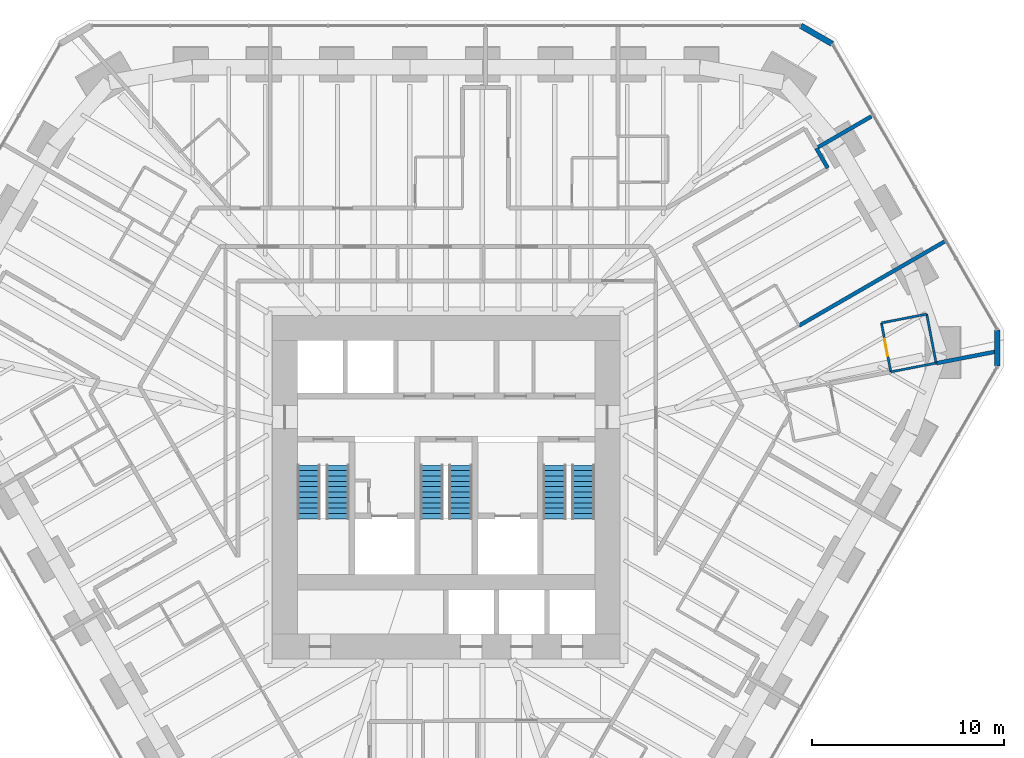
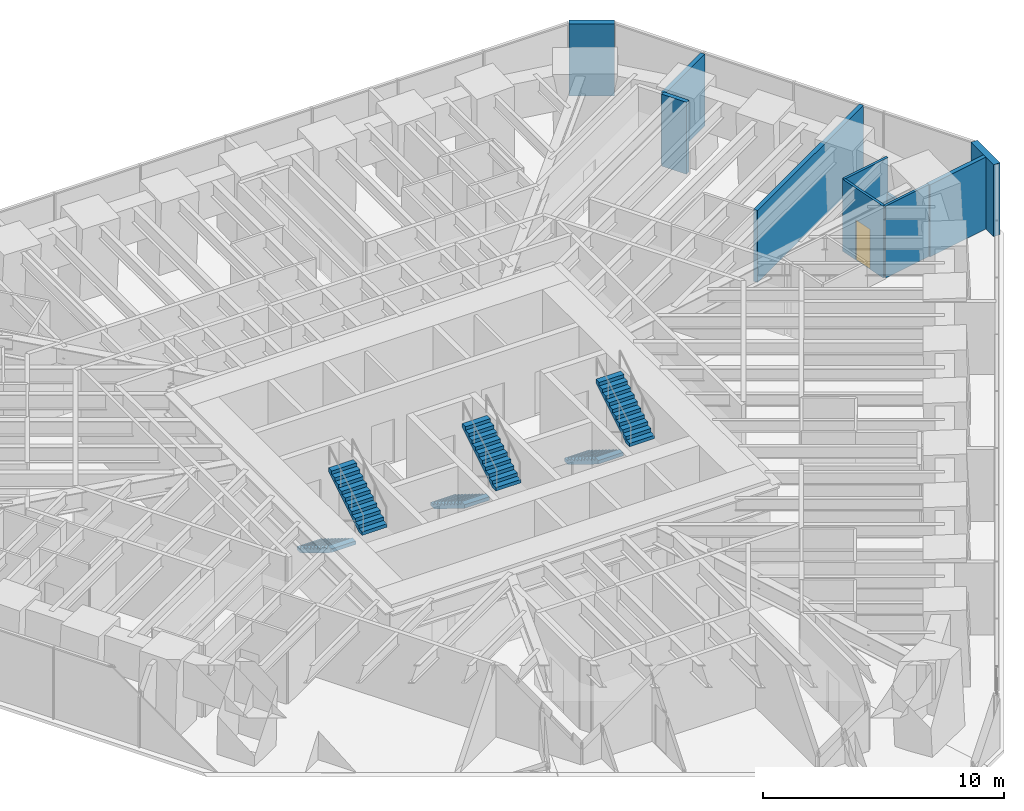
# One storey, part 16 of 17: 10 walls, 6 stair flights, 1 door, 1 opening, 3 elements without a shape of their own.
"""IFC4 building model written with IfcOpenShell, lengths in metres."""

from ifc_helpers import new_model, si_unit, direction, frame, frame_2d, origin, place, context, subcontext, project, spatial, polyline, rectangle, outline, extrude, material, layer, layer_set, type_object, element, fill, aggregate, save


model = new_model("IFC4")

# Units and contexts
model_context = context("Model", 3, precision=1e-05, world=origin(), true_north=direction((0.0, 1.0)))
body_context = subcontext(model_context, "Body", "Model", "MODEL_VIEW")
ifc_project = project(units=[si_unit("LENGTHUNIT", "METRE"), si_unit("AREAUNIT", "SQUARE_METRE"), si_unit("VOLUMEUNIT", "CUBIC_METRE"), si_unit("PLANEANGLEUNIT", "RADIAN"), si_unit("MASSUNIT", "GRAM", prefix="KILO")], contexts=[model_context])

# Site, building, storey
site_placement = place(None, origin())
site = spatial("IfcSite", under=ifc_project, at=site_placement, CompositionType="ELEMENT")
building_placement = place(site_placement, origin())
building = spatial("IfcBuilding", under=site, at=building_placement, Name="Sandreach Pilgrim Tower", CompositionType="ELEMENT")
storey_placement = place(building_placement, frame((0.0, 0.0, 165.199951171875)))
storey = spatial("IfcBuildingStorey", under=building, at=storey_placement, Name="L41", CompositionType="ELEMENT", Elevation=165.199951171875)

# Wall, opening, door
ifc_material_1 = material(Name="Moisture-resistant gypsum board on steel studs", Category="steel")
ifc_layer_1 = layer(ifc_material_1, 0.1201171875)
ifc_layer_set_1 = layer_set([ifc_layer_1], Name="Bathroom partition 120")
wall_type_1 = type_object("IfcWallType", Name="Bathroom partition 120", PredefinedType="PARTITIONING", material=ifc_layer_set_1)
wall_1_placement = place(storey_placement, frame((22.679931640625, 7.010009765625, 0.0), z_axis=(0.0, 0.0, 1.0), x_axis=(0.188697442844, -0.982035271802, 0.0)))
wall_1 = element("IfcWall", 1, at=wall_1_placement, inside=storey, type_object=wall_type_1, Name="Bathroom partition L41-176", PredefinedType="PARTITIONING", context=body_context, shape_type="SweptSolid", body=[
    extrude(rectangle(XDim=2.5966796875, YDim=0.1201171875, at=frame_2d((1.29833984375, 0.0))), origin(), (0.0, 0.0, 1.0), 3.64013671875),
])
opening_placement = place(wall_1_placement, frame((0.85009765625, 0.0, 0.0)))
opening = element("IfcOpeningElement", 2, at=opening_placement, cuts=wall_1, Name="Opening D09-06B", PredefinedType="OPENING", context=body_context, shape_type="SweptSolid", body=[
    extrude(rectangle(XDim=0.89990234375, YDim=2.030029296875, at=frame_2d((0.449951171875, 1.01513671875))), frame((0.0, 0.06005859375, 0.0), z_axis=(0.0, -1.0, 0.0), x_axis=(1.0, 0.0, 0.0)), (0.0, 0.0, 1.0), 0.1201171875),
])
ifc_material_2 = material(Name="Timber door, steel frame", Category="steel")
door_type = type_object("IfcDoorType", Name="Bathroom door", OperationType="SINGLE_SWING_LEFT", PredefinedType="DOOR", material=ifc_material_2)
door_placement = place(opening_placement, origin())
door = element("IfcDoor", 3, at=door_placement, inside=storey, type_object=door_type, Name="Door 4106B", OperationType="SINGLE_SWING_LEFT", OverallHeight=2.030029296875, OverallWidth=0.89990234375, PredefinedType="DOOR", context=body_context, shape_type="SweptSolid", body=[
    extrude(rectangle(XDim=0.89990234375, YDim=2.030029296875, at=frame_2d((0.449951171875, 1.01513671875))), frame((0.0, 0.02490234375, 0.0), z_axis=(0.0, -1.0, 0.0), x_axis=(1.0, 0.0, 0.0)), (0.0, 0.0, 1.0), 0.050048828125),
])
fill(opening, door)

# Walls
for number, where, z_axis, x_axis, name in (
    (4, (23.169921875, 4.4599609375, 0.0), (0.0, 0.0, 1.0), (0.981533392326, 0.191290877329, 0.0), "Bathroom partition L41-177"),
    (5, (25.0400390625, 7.469970703125, 0.0), (0.0, 0.0, 1.0), (-0.981533392326, -0.191290877329, 0.0), "Bathroom partition L41-179"),
):
    element("IfcWall", number, at=place(storey_placement, frame(where, z_axis=z_axis, x_axis=x_axis)), inside=storey, type_object=wall_type_1, Name=name, PredefinedType="PARTITIONING", context=body_context, shape_type="SweptSolid", body=[
        extrude(rectangle(XDim=2.404541015625, YDim=0.1201171875, at=frame_2d((1.2021484375, 0.0))), origin(), (0.0, 0.0, 1.0), 3.64013671875),
    ])
wall_2_placement = place(storey_placement, frame((25.530029296875, 4.919921875, 0.0), z_axis=(0.0, 0.0, 1.0), x_axis=(-0.188697442844, 0.982035271802, 0.0)))
element("IfcWall", 6, at=wall_2_placement, inside=storey, type_object=wall_type_1, Name="Bathroom partition L41-180", PredefinedType="PARTITIONING", context=body_context, shape_type="SweptSolid", body=[
    extrude(rectangle(XDim=2.5966796875, YDim=0.1201171875, at=frame_2d((1.29833984375, 0.0))), origin(), (0.0, 0.0, 1.0), 1.840087890625),
])
ifc_material_3 = material(Name="Gypsum board on steel studs, two layers each side", Category="steel")
ifc_layer_2 = layer(ifc_material_3, 0.199951171875)
ifc_layer_set_2 = layer_set([ifc_layer_2], Name="Corridor wall 200")
wall_type_2 = type_object("IfcWallType", Name="Corridor wall 200", PredefinedType="PARTITIONING", material=ifc_layer_set_2)
wall_3_placement = place(storey_placement, frame((19.882568359375, 15.0830078125, 0.0), z_axis=(0.0, 0.0, 1.0), x_axis=(-0.499704629046, 0.866195869137, 0.0)))
element("IfcWall", 7, at=wall_3_placement, inside=storey, type_object=wall_type_2, Name="Corridor wall L41-172", PredefinedType="PARTITIONING", context=body_context, shape_type="SweptSolid", body=[
    extrude(rectangle(XDim=1.185791015625, YDim=0.199951171875, at=frame_2d((0.5927734375, 0.0))), origin(), (0.0, 0.0, 1.0), 3.64013671875),
])
ifc_material_4 = material(Name="Double steel stud acoustic wall, gypsum board", Category="steel")
ifc_layer_3 = layer(ifc_material_4, 0.199951171875)
ifc_layer_set_3 = layer_set([ifc_layer_3], Name="Party wall 200")
wall_type_3 = type_object("IfcWallType", Name="Party wall 200", PredefinedType="PARTITIONING", material=ifc_layer_set_3)
wall_4_placement = place(storey_placement, frame((18.389892578125, 6.8701171875, 0.0), z_axis=(0.0, 0.0, 1.0), x_axis=(0.865875215531, 0.500260043506, 0.0)))
element("IfcWall", 8, at=wall_4_placement, inside=storey, type_object=wall_type_3, Name="Party wall L41-169", PredefinedType="PARTITIONING", context=body_context, shape_type="SweptSolid", body=[
    extrude(rectangle(XDim=8.804931640625, YDim=0.199951171875, at=frame_2d((4.40234375, 0.0))), origin(), (0.0, 0.0, 1.0), 3.64013671875),
])
wall_5_placement = place(storey_placement, frame((22.15625, 17.769775390625, 0.0), z_axis=(0.0, 0.0, 1.0), x_axis=(-0.865367135404, -0.501138424952, 0.0)))
element("IfcWall", 9, at=wall_5_placement, inside=storey, type_object=wall_type_3, Name="Party wall L41-175", PredefinedType="PARTITIONING", context=body_context, shape_type="SweptSolid", body=[
    extrude(rectangle(XDim=3.297119140625, YDim=0.199951171875, at=frame_2d((1.6484375, 0.0))), origin(), (0.0, 0.0, 1.0), 3.64013671875),
])
wall_6_placement = place(storey_placement, frame((28.740478515625, 5.5341796875, 0.0), z_axis=(0.0, 0.0, 1.0), x_axis=(-0.98161461266, -0.190873655101, 0.0)))
element("IfcWall", 10, at=wall_6_placement, inside=storey, type_object=wall_type_3, Name="Party wall L41-181", PredefinedType="PARTITIONING", context=body_context, shape_type="SweptSolid", body=[
    extrude(rectangle(XDim=3.2705078125, YDim=0.199951171875, at=frame_2d((1.63525390625, 0.0))), origin(), (0.0, 0.0, 1.0), 3.64013671875),
])
ifc_material_5 = material(Name="Terracotta rainscreen on concrete", Category="masonry")
ifc_layer_4 = layer(ifc_material_5, 0.300048828125)
ifc_layer_set_4 = layer_set([ifc_layer_4], Name="Terracotta chamfer pier")
wall_type_4 = type_object("IfcWallType", Name="Terracotta chamfer pier", PredefinedType="SOLIDWALL", material=ifc_layer_set_4)
wall_7_placement = place(storey_placement, frame((18.4814453125, 22.493896484375, 0.0), z_axis=(0.0, 0.0, 1.0), x_axis=(0.865988793993, -0.500063404658, 0.0)))
element("IfcWall", 11, at=wall_7_placement, inside=storey, type_object=wall_type_4, Name="Chamfer pier L41 N", PredefinedType="SOLIDWALL", context=body_context, shape_type="SweptSolid", body=[
    extrude(rectangle(XDim=1.880126953125, YDim=0.300048828125, at=frame_2d((0.93994140625, 0.0))), origin(), (0.0, 0.0, 1.0), 3.64013671875),
])
wall_8_placement = place(storey_placement, frame((28.720947265625, 6.638427734375, 0.0), z_axis=(0.0, 0.0, 1.0), x_axis=(0.0, -1.0, 0.0)))
element("IfcWall", 12, at=wall_8_placement, inside=storey, type_object=wall_type_4, Name="Chamfer pier L41 NE", PredefinedType="SOLIDWALL", context=body_context, shape_type="SweptSolid", body=[
    extrude(rectangle(XDim=1.8798828125, YDim=0.300048828125, at=frame_2d((0.93994140625, 0.0))), origin(), (0.0, 0.0, 1.0), 3.64013671875),
])

# Stair, stair flights
ifc_material_6 = material(Name="Concrete 8000 psi", Category="concrete")
stair_type = type_object("IfcStairType", Name="Core exit stair", PredefinedType="HALF_TURN_STAIR", material=ifc_material_6)
stair_1_placement = place(storey_placement, origin())
stair_1 = element("IfcStair", 13, at=stair_1_placement, inside=storey, type_object=stair_type, Name="Exit stair ST1 L41", PredefinedType="HALF_TURN_STAIR")
ifc_material_7 = material(Name="Concrete 8000 psi", Category="concrete")
stair_flight_type = type_object("IfcStairFlightType", Name="Core stair flight 1200", PredefinedType="STRAIGHT", material=ifc_material_7)
stair_flight_1_placement = place(storey_placement, frame((-7.14990234375, -0.39990234375, 0.0), z_axis=(0.0, 0.0, 1.0), x_axis=(0.0, -1.0, 0.0)))
stair_flight_1 = element("IfcStairFlight", 14, at=stair_flight_1_placement, type_object=stair_flight_type, Name="ST1 flight 1", NumberOfRisers=11, NumberOfTreads=10, PredefinedType="STRAIGHT", RiserHeight=0.172727273, TreadLength=0.28, context=body_context, shape_type="SweptSolid", body=[
    extrude(outline(polyline([(0.0, 0.0), (0.0, 0.172607421875), (0.280029296875, 0.172607421875), (0.280029296875, 0.345458984375), (0.56005859375, 0.345458984375), (0.56005859375, 0.51806640625), (0.840087890625, 0.51806640625), (0.840087890625, 0.69091796875), (1.1201171875, 0.69091796875), (1.1201171875, 0.863525390625), (1.39990234375, 0.863525390625), (1.39990234375, 1.036376953125), (1.679931640625, 1.036376953125), (1.679931640625, 1.208984375), (1.9599609375, 1.208984375), (1.9599609375, 1.3818359375), (2.239990234375, 1.3818359375), (2.239990234375, 1.554443359375), (2.52001953125, 1.554443359375), (2.52001953125, 1.727294921875), (2.800048828125, 1.727294921875), (2.800048828125, 1.89990234375), (2.800048828125, 1.551025390625), (0.285400390625, 0.0), (0.0, 0.0)])), frame((0.0, 0.60009765625, 0.0), z_axis=(0.0, -1.0, 0.0), x_axis=(1.0, 0.0, 0.0)), (0.0, 0.0, 1.0), 1.199951171875),
])
stair_flight_2_placement = place(storey_placement, frame((-5.64990234375, -3.199951171875, 1.900146484375), z_axis=(0.0, 0.0, 1.0), x_axis=(0.0, 1.0, 0.0)))
stair_flight_2 = element("IfcStairFlight", 15, at=stair_flight_2_placement, type_object=stair_flight_type, Name="ST1 flight 2", NumberOfRisers=11, NumberOfTreads=10, PredefinedType="STRAIGHT", RiserHeight=0.172727273, TreadLength=0.28, context=body_context, shape_type="SweptSolid", body=[
    extrude(outline(polyline([(0.0, 0.0), (0.0, 0.172607421875), (0.280029296875, 0.172607421875), (0.280029296875, 0.345458984375), (0.56005859375, 0.345458984375), (0.56005859375, 0.51806640625), (0.840087890625, 0.51806640625), (0.840087890625, 0.69091796875), (1.1201171875, 0.69091796875), (1.1201171875, 0.863525390625), (1.39990234375, 0.863525390625), (1.39990234375, 1.036376953125), (1.679931640625, 1.036376953125), (1.679931640625, 1.208984375), (1.9599609375, 1.208984375), (1.9599609375, 1.3818359375), (2.239990234375, 1.3818359375), (2.239990234375, 1.554443359375), (2.52001953125, 1.554443359375), (2.52001953125, 1.727294921875), (2.800048828125, 1.727294921875), (2.800048828125, 1.89990234375), (2.800048828125, 1.551025390625), (0.285400390625, 0.0), (0.0, 0.0)])), frame((0.0, 0.60009765625, 0.0), z_axis=(0.0, -1.0, 0.0), x_axis=(1.0, 0.0, 0.0)), (0.0, 0.0, 1.0), 1.199951171875),
])
aggregate(stair_1, [stair_flight_1, stair_flight_2])

stair_2_placement = place(storey_placement, origin())
stair_2 = element("IfcStair", 16, at=stair_2_placement, inside=storey, type_object=stair_type, Name="Exit stair ST3 L41", PredefinedType="HALF_TURN_STAIR")
stair_flight_3_placement = place(storey_placement, frame((-0.75, -0.39990234375, 0.0), z_axis=(0.0, 0.0, 1.0), x_axis=(0.0, -1.0, 0.0)))
stair_flight_3 = element("IfcStairFlight", 17, at=stair_flight_3_placement, type_object=stair_flight_type, Name="ST3 flight 1", NumberOfRisers=11, NumberOfTreads=10, PredefinedType="STRAIGHT", RiserHeight=0.172727273, TreadLength=0.28, context=body_context, shape_type="SweptSolid", body=[
    extrude(outline(polyline([(0.0, 0.0), (0.0, 0.172607421875), (0.280029296875, 0.172607421875), (0.280029296875, 0.345458984375), (0.56005859375, 0.345458984375), (0.56005859375, 0.51806640625), (0.840087890625, 0.51806640625), (0.840087890625, 0.69091796875), (1.1201171875, 0.69091796875), (1.1201171875, 0.863525390625), (1.39990234375, 0.863525390625), (1.39990234375, 1.036376953125), (1.679931640625, 1.036376953125), (1.679931640625, 1.208984375), (1.9599609375, 1.208984375), (1.9599609375, 1.3818359375), (2.239990234375, 1.3818359375), (2.239990234375, 1.554443359375), (2.52001953125, 1.554443359375), (2.52001953125, 1.727294921875), (2.800048828125, 1.727294921875), (2.800048828125, 1.89990234375), (2.800048828125, 1.551025390625), (0.285400390625, 0.0), (0.0, 0.0)])), frame((0.0, 0.60009765625, 0.0), z_axis=(0.0, -1.0, 0.0), x_axis=(1.0, 0.0, 0.0)), (0.0, 0.0, 1.0), 1.199951171875),
])
stair_flight_4_placement = place(storey_placement, frame((0.75, -3.199951171875, 1.900146484375), z_axis=(0.0, 0.0, 1.0), x_axis=(0.0, 1.0, 0.0)))
stair_flight_4 = element("IfcStairFlight", 18, at=stair_flight_4_placement, type_object=stair_flight_type, Name="ST3 flight 2", NumberOfRisers=11, NumberOfTreads=10, PredefinedType="STRAIGHT", RiserHeight=0.172727273, TreadLength=0.28, context=body_context, shape_type="SweptSolid", body=[
    extrude(outline(polyline([(0.0, 0.0), (0.0, 0.172607421875), (0.280029296875, 0.172607421875), (0.280029296875, 0.345458984375), (0.56005859375, 0.345458984375), (0.56005859375, 0.51806640625), (0.840087890625, 0.51806640625), (0.840087890625, 0.69091796875), (1.1201171875, 0.69091796875), (1.1201171875, 0.863525390625), (1.39990234375, 0.863525390625), (1.39990234375, 1.036376953125), (1.679931640625, 1.036376953125), (1.679931640625, 1.208984375), (1.9599609375, 1.208984375), (1.9599609375, 1.3818359375), (2.239990234375, 1.3818359375), (2.239990234375, 1.554443359375), (2.52001953125, 1.554443359375), (2.52001953125, 1.727294921875), (2.800048828125, 1.727294921875), (2.800048828125, 1.89990234375), (2.800048828125, 1.551025390625), (0.285400390625, 0.0), (0.0, 0.0)])), frame((0.0, 0.60009765625, 0.0), z_axis=(0.0, -1.0, 0.0), x_axis=(1.0, 0.0, 0.0)), (0.0, 0.0, 1.0), 1.199951171875),
])
aggregate(stair_2, [stair_flight_3, stair_flight_4])

stair_3_placement = place(storey_placement, origin())
stair_3 = element("IfcStair", 19, at=stair_3_placement, inside=storey, type_object=stair_type, Name="Exit stair ST2 L41", PredefinedType="HALF_TURN_STAIR")
stair_flight_5_placement = place(storey_placement, frame((5.64990234375, -0.39990234375, 0.0), z_axis=(0.0, 0.0, 1.0), x_axis=(0.0, -1.0, 0.0)))
stair_flight_5 = element("IfcStairFlight", 20, at=stair_flight_5_placement, type_object=stair_flight_type, Name="ST2 flight 1", NumberOfRisers=11, NumberOfTreads=10, PredefinedType="STRAIGHT", RiserHeight=0.172727273, TreadLength=0.28, context=body_context, shape_type="SweptSolid", body=[
    extrude(outline(polyline([(0.0, 0.0), (0.0, 0.172607421875), (0.280029296875, 0.172607421875), (0.280029296875, 0.345458984375), (0.56005859375, 0.345458984375), (0.56005859375, 0.51806640625), (0.840087890625, 0.51806640625), (0.840087890625, 0.69091796875), (1.1201171875, 0.69091796875), (1.1201171875, 0.863525390625), (1.39990234375, 0.863525390625), (1.39990234375, 1.036376953125), (1.679931640625, 1.036376953125), (1.679931640625, 1.208984375), (1.9599609375, 1.208984375), (1.9599609375, 1.3818359375), (2.239990234375, 1.3818359375), (2.239990234375, 1.554443359375), (2.52001953125, 1.554443359375), (2.52001953125, 1.727294921875), (2.800048828125, 1.727294921875), (2.800048828125, 1.89990234375), (2.800048828125, 1.551025390625), (0.285400390625, 0.0), (0.0, 0.0)])), frame((0.0, 0.60009765625, 0.0), z_axis=(0.0, -1.0, 0.0), x_axis=(1.0, 0.0, 0.0)), (0.0, 0.0, 1.0), 1.199951171875),
])
stair_flight_6_placement = place(storey_placement, frame((7.14990234375, -3.199951171875, 1.900146484375), z_axis=(0.0, 0.0, 1.0), x_axis=(0.0, 1.0, 0.0)))
stair_flight_6 = element("IfcStairFlight", 21, at=stair_flight_6_placement, type_object=stair_flight_type, Name="ST2 flight 2", NumberOfRisers=11, NumberOfTreads=10, PredefinedType="STRAIGHT", RiserHeight=0.172727273, TreadLength=0.28, context=body_context, shape_type="SweptSolid", body=[
    extrude(outline(polyline([(0.0, 0.0), (0.0, 0.172607421875), (0.280029296875, 0.172607421875), (0.280029296875, 0.345458984375), (0.56005859375, 0.345458984375), (0.56005859375, 0.51806640625), (0.840087890625, 0.51806640625), (0.840087890625, 0.69091796875), (1.1201171875, 0.69091796875), (1.1201171875, 0.863525390625), (1.39990234375, 0.863525390625), (1.39990234375, 1.036376953125), (1.679931640625, 1.036376953125), (1.679931640625, 1.208984375), (1.9599609375, 1.208984375), (1.9599609375, 1.3818359375), (2.239990234375, 1.3818359375), (2.239990234375, 1.554443359375), (2.52001953125, 1.554443359375), (2.52001953125, 1.727294921875), (2.800048828125, 1.727294921875), (2.800048828125, 1.89990234375), (2.800048828125, 1.551025390625), (0.285400390625, 0.0), (0.0, 0.0)])), frame((0.0, 0.60009765625, 0.0), z_axis=(0.0, -1.0, 0.0), x_axis=(1.0, 0.0, 0.0)), (0.0, 0.0, 1.0), 1.199951171875),
])
aggregate(stair_3, [stair_flight_5, stair_flight_6])

save(model, "model.ifc")
